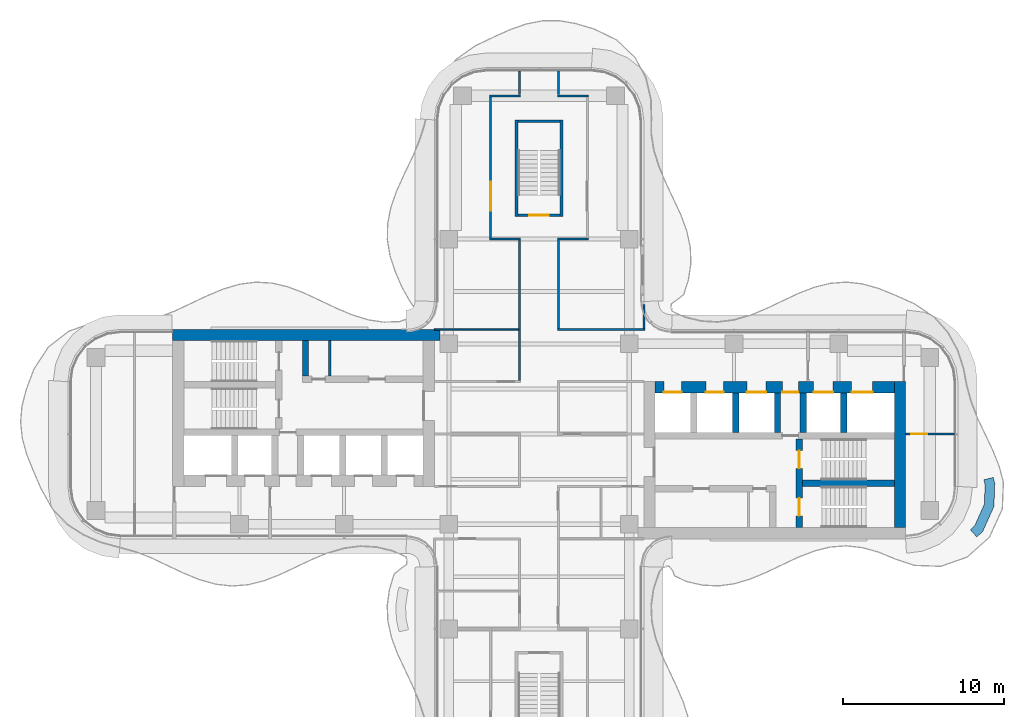
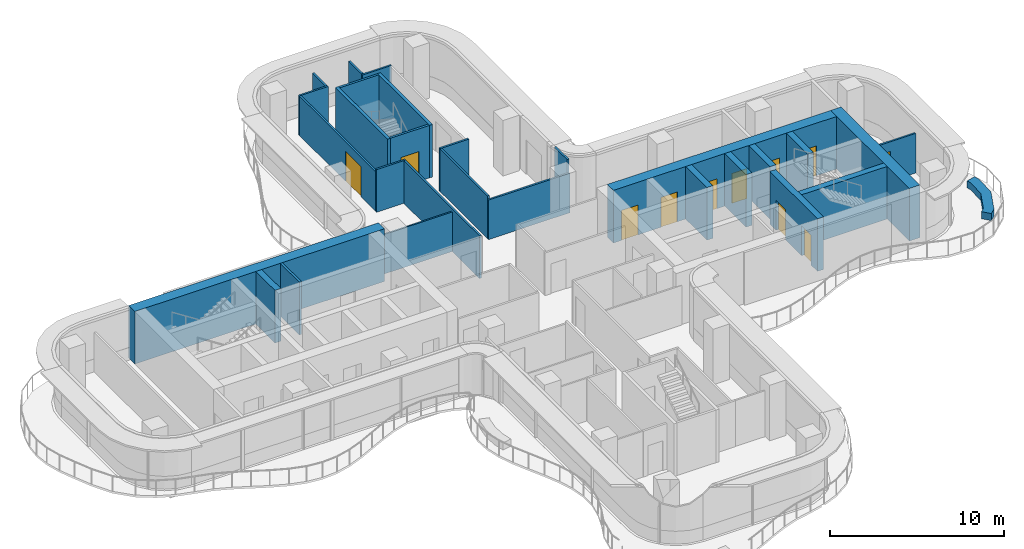
# One storey, part 16 of 19: 29 walls, 11 doors, 11 openings.
"""IFC4 building model written with IfcOpenShell, lengths in metres."""

from ifc_helpers import new_model, si_unit, direction, frame, frame_2d, origin, place, context, subcontext, project, spatial, polyline, rectangle, outline, extrude, source, transform, mapped, material, layer, layer_set, type_object, element, fill, save


model = new_model("IFC4")

# Units and contexts
model_context = context("Model", 3, precision=1e-05, world=origin(), true_north=direction((0.0, 1.0)))
body_context = subcontext(model_context, "Body", "Model", "MODEL_VIEW")
ifc_project = project(units=[si_unit("LENGTHUNIT", "METRE"), si_unit("AREAUNIT", "SQUARE_METRE"), si_unit("VOLUMEUNIT", "CUBIC_METRE"), si_unit("PLANEANGLEUNIT", "RADIAN"), si_unit("MASSUNIT", "GRAM", prefix="KILO")], contexts=[model_context])

# Site, building, storey
site_placement = place(None, origin())
site = spatial("IfcSite", under=ifc_project, at=site_placement, CompositionType="ELEMENT")
building_placement = place(site_placement, origin())
building = spatial("IfcBuilding", under=site, at=building_placement, Name="Trellis Farm Tower", CompositionType="ELEMENT")
storey_placement = place(building_placement, frame((0.0, 0.0, 228.5)))
storey = spatial("IfcBuildingStorey", under=building, at=storey_placement, Name="L50", CompositionType="ELEMENT", Elevation=228.5)

# Walls
ifc_material_1 = material(Name="Sandstone faced masonry planter", Category="masonry")
ifc_layer_1 = layer(ifc_material_1, 0.60009765625)
ifc_layer_set_1 = layer_set([ifc_layer_1], Name="PLANTER BED 600")
wall_type_1 = type_object("IfcWallType", Name="PLANTER BED 600", PredefinedType="USERDEFINED", material=ifc_layer_set_1)
wall_1_placement = place(storey_placement, origin())
element("IfcWall", 1, at=wall_1_placement, inside=storey, type_object=wall_type_1, Name="PLANTER bed", ObjectType="PLANTER", PredefinedType="USERDEFINED", context=body_context, shape_type="SweptSolid", body=[
    extrude(outline(polyline([(28.28955078125, -3.0634765625), (28.237548828125, -4.497314453125), (27.531005859375, -6.06591796875), (27.17041015625, -6.3876953125), (26.77099609375, -5.939697265625), (27.0361328125, -5.703125), (27.64208984375, -4.358154296875), (27.6865234375, -3.131103515625), (27.610107421875, -2.84326171875), (28.18994140625, -2.689208984375), (28.28955078125, -3.0634765625)])), origin(), (0.0, 0.0, 1.0), 0.5),
])
ifc_material_2 = material(Name="Concrete C60/75", Category="concrete")
ifc_layer_2 = layer(ifc_material_2, 0.699951171875)
ifc_layer_set_2 = layer_set([ifc_layer_2], Name="CORE OUTER WALL 700 CONCRETE C60/75")
wall_type_2 = type_object("IfcWallType", Name="CORE OUTER WALL 700 CONCRETE C60/75", PredefinedType="SHEAR", material=ifc_layer_set_2)
shared_shape_1 = source(origin(), body_context, "Body", "SweptSolid", [
    extrude(rectangle(XDim=9.050048828125, YDim=0.699951171875, at=frame_2d((4.52490234375, 0.0))), origin(), (0.0, 0.0, 1.0), 3.699951171875),
])
wall_2_placement = place(storey_placement, frame((22.39990234375, -5.800048828125, 0.0), z_axis=(0.0, 0.0, 1.0), x_axis=(0.0, 1.0, 0.0)))
element("IfcWall", 2, at=wall_2_placement, inside=storey, type_object=wall_type_2, Name="Core wall", PredefinedType="SHEAR", context=body_context, shape_type="MappedRepresentation", body=[
    mapped(shared_shape_1, transform((0.0, 0.0, 0.0))),
])
ifc_layer_3 = layer(ifc_material_2, 0.39990234375)
ifc_layer_set_3 = layer_set([ifc_layer_3], Name="CORE INNER WALL 400 CONCRETE C60/75")
wall_type_3 = type_object("IfcWallType", Name="CORE INNER WALL 400 CONCRETE C60/75", PredefinedType="SHEAR", material=ifc_layer_set_3)
shared_shape_2 = source(origin(), body_context, "Body", "SweptSolid", [
    extrude(rectangle(XDim=2.449951171875, YDim=0.39990234375, at=frame_2d((1.22509765625, 0.0))), origin(), (0.0, 0.0, 1.0), 3.699951171875),
])
for number, where, z_axis, x_axis, name in (
    (3, (12.199951171875, 0.10009765625, 0.0), (0.0, 0.0, 1.0), (0.0, 1.0, 0.0), "Core wall"),
    (4, (14.800048828125, 0.10009765625, 0.0), (0.0, 0.0, 1.0), (0.0, 1.0, 0.0), "Core wall"),
    (5, (16.39990234375, 0.10009765625, 0.0), (0.0, 0.0, 1.0), (0.0, 1.0, 0.0), "Core wall"),
    (6, (18.89990234375, 0.10009765625, 0.0), (0.0, 0.0, 1.0), (0.0, 1.0, 0.0), "Core wall"),
):
    element("IfcWall", number, at=place(storey_placement, frame(where, z_axis=z_axis, x_axis=x_axis)), inside=storey, type_object=wall_type_3, Name=name, PredefinedType="SHEAR", context=body_context, shape_type="MappedRepresentation", body=[
        mapped(shared_shape_2, transform((0.0, 0.0, 0.0))),
    ])

# Wall, openings, doors
shared_shape_3 = source(origin(), body_context, "Body", "SweptSolid", [
    extrude(rectangle(XDim=14.85009765625, YDim=0.699951171875, at=frame_2d((7.425048828125, 0.0))), origin(), (0.0, 0.0, 1.0), 3.699951171875),
])
wall_3_placement = place(storey_placement, frame((7.199951171875, 2.89990234375, 0.0), z_axis=(0.0, 0.0, 1.0), x_axis=(1.0, 0.0, 0.0)))
wall_3 = element("IfcWall", 7, at=wall_3_placement, inside=storey, type_object=wall_type_2, Name="Core wall", PredefinedType="SHEAR", context=body_context, shape_type="MappedRepresentation", body=[
    mapped(shared_shape_3, transform((0.0, 0.0, 0.0))),
])
shared_shape_4 = source(origin(), body_context, "Body", "SweptSolid", [
    extrude(rectangle(XDim=1.10009765625, YDim=2.10009765625, at=frame_2d((0.550048828125, 1.050048828125))), frame((0.0, 0.360107421875, 0.0), z_axis=(0.0, -1.0, 0.0), x_axis=(1.0, 0.0, 0.0)), (0.0, 0.0, 1.0), 0.72021484375),
])
opening_1_placement = place(wall_3_placement, frame((0.550048828125, 0.0, 0.0)))
opening_1 = element("IfcOpeningElement", 8, at=opening_1_placement, cuts=wall_3, Name="Opening LD4", PredefinedType="OPENING", context=body_context, shape_type="MappedRepresentation", body=[
    mapped(shared_shape_4, transform((0.0, 0.0, 0.0))),
])
opening_2_placement = place(wall_3_placement, frame((3.14990234375, 0.0, 0.0)))
opening_2 = element("IfcOpeningElement", 9, at=opening_2_placement, cuts=wall_3, Name="Opening LD5", PredefinedType="OPENING", context=body_context, shape_type="MappedRepresentation", body=[
    mapped(shared_shape_4, transform((0.0, 0.0, 0.0))),
])
shared_shape_5 = source(origin(), body_context, "Body", "SweptSolid", [
    extrude(rectangle(XDim=1.199951171875, YDim=2.10009765625, at=frame_2d((0.60009765625, 1.050048828125))), frame((0.0, 0.360107421875, 0.0), z_axis=(0.0, -1.0, 0.0), x_axis=(1.0, 0.0, 0.0)), (0.0, 0.0, 1.0), 0.72021484375),
])
opening_3_placement = place(wall_3_placement, frame((5.699951171875, 0.0, 0.0)))
opening_3 = element("IfcOpeningElement", 10, at=opening_3_placement, cuts=wall_3, Name="Opening LD6", PredefinedType="OPENING", context=body_context, shape_type="MappedRepresentation", body=[
    mapped(shared_shape_5, transform((0.0, 0.0, 0.0))),
])
shared_shape_6 = source(origin(), body_context, "Body", "SweptSolid", [
    extrude(rectangle(XDim=1.300048828125, YDim=2.10009765625, at=frame_2d((0.64990234375, 1.050048828125))), frame((0.0, 0.360107421875, 0.0), z_axis=(0.0, -1.0, 0.0), x_axis=(1.0, 0.0, 0.0)), (0.0, 0.0, 1.0), 0.72021484375),
])
opening_4_placement = place(wall_3_placement, frame((12.199951171875, 0.0, 0.0)))
opening_4 = element("IfcOpeningElement", 11, at=opening_4_placement, cuts=wall_3, Name="Opening LD7", PredefinedType="OPENING", context=body_context, shape_type="MappedRepresentation", body=[
    mapped(shared_shape_6, transform((0.0, 0.0, 0.0))),
])
opening_5_placement = place(wall_3_placement, frame((9.85009765625, 0.0, 0.0)))
opening_5 = element("IfcOpeningElement", 12, at=opening_5_placement, cuts=wall_3, Name="Opening LD8", PredefinedType="OPENING", context=body_context, shape_type="MappedRepresentation", body=[
    mapped(shared_shape_5, transform((0.0, 0.0, 0.0))),
])
shared_shape_7 = source(origin(), body_context, "Body", "SweptSolid", [
    extrude(rectangle(XDim=1.0, YDim=2.10009765625, at=frame_2d((0.5, 1.050048828125))), frame((0.0, 0.360107421875, 0.0), z_axis=(0.0, -1.0, 0.0), x_axis=(1.0, 0.0, 0.0)), (0.0, 0.0, 1.0), 0.72021484375),
])
opening_6_placement = place(wall_3_placement, frame((7.89990234375, 0.0, 0.0)))
opening_6 = element("IfcOpeningElement", 13, at=opening_6_placement, cuts=wall_3, Name="Opening DC6", PredefinedType="OPENING", context=body_context, shape_type="MappedRepresentation", body=[
    mapped(shared_shape_7, transform((0.0, 0.0, 0.0))),
])
ifc_material_3 = material(Name="Steel", Category="steel")
door_type_1 = type_object("IfcDoorType", Name="CORE FIRE DOOR 1000 X 2100", OperationType="NOTDEFINED", PredefinedType="DOOR", material=ifc_material_3)
shared_shape_8 = source(origin(), body_context, "Body", "SweptSolid", [
    extrude(rectangle(XDim=1.0, YDim=2.10009765625, at=frame_2d((0.5, 1.050048828125))), frame((0.0, -0.27490234375, 0.0), z_axis=(0.0, -1.0, 0.0), x_axis=(1.0, 0.0, 0.0)), (0.0, 0.0, 1.0), 0.050048828125),
])
door_1_placement = place(opening_6_placement, origin())
door_1 = element("IfcDoor", 14, at=door_1_placement, inside=storey, type_object=door_type_1, Name="Core door", OperationType="SINGLE_SWING_LEFT", OverallHeight=2.10009765625, OverallWidth=1.0, PredefinedType="DOOR", context=body_context, shape_type="MappedRepresentation", body=[
    mapped(shared_shape_8, transform((0.0, 0.0, 0.0))),
])
fill(opening_6, door_1)
ifc_material_4 = material(Name="Stainless steel", Category="steel")
door_type_2 = type_object("IfcDoorType", Name="LIFT LANDING DOOR 1300 X 2100", OperationType="DOUBLE_DOOR_SLIDING", PredefinedType="DOOR", material=ifc_material_4)
shared_shape_9 = source(origin(), body_context, "Body", "SweptSolid", [
    extrude(rectangle(XDim=1.300048828125, YDim=2.10009765625, at=frame_2d((0.64990234375, 1.050048828125))), frame((0.0, -0.27490234375, 0.0), z_axis=(0.0, -1.0, 0.0), x_axis=(1.0, 0.0, 0.0)), (0.0, 0.0, 1.0), 0.050048828125),
])
door_2_placement = place(opening_4_placement, origin())
door_2 = element("IfcDoor", 15, at=door_2_placement, inside=storey, type_object=door_type_2, Name="Lift landing door", OperationType="DOUBLE_DOOR_SLIDING", OverallHeight=2.10009765625, OverallWidth=1.300048828125, PredefinedType="DOOR", context=body_context, shape_type="MappedRepresentation", body=[
    mapped(shared_shape_9, transform((0.0, 0.0, 0.0))),
])
fill(opening_4, door_2)
door_type_3 = type_object("IfcDoorType", Name="LIFT LANDING DOOR 1200 X 2100", OperationType="DOUBLE_DOOR_SLIDING", PredefinedType="DOOR", material=ifc_material_4)
shared_shape_10 = source(origin(), body_context, "Body", "SweptSolid", [
    extrude(rectangle(XDim=1.199951171875, YDim=2.10009765625, at=frame_2d((0.60009765625, 1.050048828125))), frame((0.0, -0.27490234375, 0.0), z_axis=(0.0, -1.0, 0.0), x_axis=(1.0, 0.0, 0.0)), (0.0, 0.0, 1.0), 0.050048828125),
])
door_3_placement = place(opening_3_placement, origin())
door_3 = element("IfcDoor", 16, at=door_3_placement, inside=storey, type_object=door_type_3, Name="Lift landing door", OperationType="DOUBLE_DOOR_SLIDING", OverallHeight=2.10009765625, OverallWidth=1.199951171875, PredefinedType="DOOR", context=body_context, shape_type="MappedRepresentation", body=[
    mapped(shared_shape_10, transform((0.0, 0.0, 0.0))),
])
fill(opening_3, door_3)
door_4_placement = place(opening_5_placement, origin())
door_4 = element("IfcDoor", 17, at=door_4_placement, inside=storey, type_object=door_type_3, Name="Lift landing door", OperationType="DOUBLE_DOOR_SLIDING", OverallHeight=2.10009765625, OverallWidth=1.199951171875, PredefinedType="DOOR", context=body_context, shape_type="MappedRepresentation", body=[
    mapped(shared_shape_10, transform((0.0, 0.0, 0.0))),
])
fill(opening_5, door_4)
door_type_4 = type_object("IfcDoorType", Name="LIFT LANDING DOOR 1100 X 2100", OperationType="DOUBLE_DOOR_SLIDING", PredefinedType="DOOR", material=ifc_material_4)
shared_shape_11 = source(origin(), body_context, "Body", "SweptSolid", [
    extrude(rectangle(XDim=1.10009765625, YDim=2.10009765625, at=frame_2d((0.550048828125, 1.050048828125))), frame((0.0, -0.27490234375, 0.0), z_axis=(0.0, -1.0, 0.0), x_axis=(1.0, 0.0, 0.0)), (0.0, 0.0, 1.0), 0.050048828125),
])
door_5_placement = place(opening_1_placement, origin())
door_5 = element("IfcDoor", 18, at=door_5_placement, inside=storey, type_object=door_type_4, Name="Lift landing door", OperationType="DOUBLE_DOOR_SLIDING", OverallHeight=2.10009765625, OverallWidth=1.10009765625, PredefinedType="DOOR", context=body_context, shape_type="MappedRepresentation", body=[
    mapped(shared_shape_11, transform((0.0, 0.0, 0.0))),
])
fill(opening_1, door_5)
door_6_placement = place(opening_2_placement, origin())
door_6 = element("IfcDoor", 19, at=door_6_placement, inside=storey, type_object=door_type_4, Name="Lift landing door", OperationType="DOUBLE_DOOR_SLIDING", OverallHeight=2.10009765625, OverallWidth=1.10009765625, PredefinedType="DOOR", context=body_context, shape_type="MappedRepresentation", body=[
    mapped(shared_shape_11, transform((0.0, 0.0, 0.0))),
])
fill(opening_2, door_6)

shared_shape_12 = source(origin(), body_context, "Body", "SweptSolid", [
    extrude(rectangle(XDim=5.5, YDim=0.39990234375, at=frame_2d((2.75, 0.0))), origin(), (0.0, 0.0, 1.0), 3.699951171875),
])
wall_4_placement = place(storey_placement, frame((16.14990234375, -5.800048828125, 0.0), z_axis=(0.0, 0.0, 1.0), x_axis=(0.0, 1.0, 0.0)))
wall_4 = element("IfcWall", 20, at=wall_4_placement, inside=storey, type_object=wall_type_3, Name="Core wall", PredefinedType="SHEAR", context=body_context, shape_type="MappedRepresentation", body=[
    mapped(shared_shape_12, transform((0.0, 0.0, 0.0))),
])
shared_shape_13 = source(origin(), body_context, "Body", "SweptSolid", [
    extrude(rectangle(XDim=1.10009765625, YDim=2.10009765625, at=frame_2d((0.550048828125, 1.050048828125))), frame((0.0, 0.2099609375, 0.0), z_axis=(0.0, -1.0, 0.0), x_axis=(1.0, 0.0, 0.0)), (0.0, 0.0, 1.0), 0.419921875),
])
opening_7_placement = place(wall_4_placement, frame((0.72509765625, 0.0, 0.0)))
opening_7 = element("IfcOpeningElement", 21, at=opening_7_placement, cuts=wall_4, Name="Opening DC2", PredefinedType="OPENING", context=body_context, shape_type="MappedRepresentation", body=[
    mapped(shared_shape_13, transform((0.0, 0.0, 0.0))),
])
opening_8_placement = place(wall_4_placement, frame((3.675048828125, 0.0, 0.0)))
opening_8 = element("IfcOpeningElement", 22, at=opening_8_placement, cuts=wall_4, Name="Opening DC3", PredefinedType="OPENING", context=body_context, shape_type="MappedRepresentation", body=[
    mapped(shared_shape_13, transform((0.0, 0.0, 0.0))),
])
door_type_5 = type_object("IfcDoorType", Name="CORE FIRE DOOR 1100 X 2100", OperationType="NOTDEFINED", PredefinedType="DOOR", material=ifc_material_3)
shared_shape_14 = source(origin(), body_context, "Body", "SweptSolid", [
    extrude(rectangle(XDim=1.10009765625, YDim=2.10009765625, at=frame_2d((0.550048828125, 1.050048828125))), frame((0.0, 0.02490234375, 0.0), z_axis=(0.0, -1.0, 0.0), x_axis=(1.0, 0.0, 0.0)), (0.0, 0.0, 1.0), 0.050048828125),
])
door_7_placement = place(opening_7_placement, origin())
door_7 = element("IfcDoor", 23, at=door_7_placement, inside=storey, type_object=door_type_5, Name="Core door", OperationType="SINGLE_SWING_RIGHT", OverallHeight=2.10009765625, OverallWidth=1.10009765625, PredefinedType="DOOR", context=body_context, shape_type="MappedRepresentation", body=[
    mapped(shared_shape_14, transform((0.0, 0.0, 0.0))),
])
fill(opening_7, door_7)
door_8_placement = place(opening_8_placement, origin())
door_8 = element("IfcDoor", 24, at=door_8_placement, inside=storey, type_object=door_type_5, Name="Core door", OperationType="SINGLE_SWING_LEFT", OverallHeight=2.10009765625, OverallWidth=1.10009765625, PredefinedType="DOOR", context=body_context, shape_type="MappedRepresentation", body=[
    mapped(shared_shape_14, transform((0.0, 0.0, 0.0))),
])
fill(opening_8, door_8)

# Walls
shared_shape_15 = source(origin(), body_context, "Body", "SweptSolid", [
    extrude(rectangle(XDim=5.699951171875, YDim=0.39990234375, at=frame_2d((2.85009765625, 0.0))), origin(), (0.0, 0.0, 1.0), 3.699951171875),
])
wall_5_placement = place(storey_placement, frame((16.35009765625, -3.050048828125, 0.0), z_axis=(0.0, 0.0, 1.0), x_axis=(1.0, 0.0, 0.0)))
element("IfcWall", 25, at=wall_5_placement, inside=storey, type_object=wall_type_3, Name="Core wall", PredefinedType="SHEAR", context=body_context, shape_type="MappedRepresentation", body=[
    mapped(shared_shape_15, transform((0.0, 0.0, 0.0))),
])
shared_shape_16 = source(origin(), body_context, "Body", "SweptSolid", [
    extrude(rectangle(XDim=2.199951171875, YDim=0.39990234375, at=frame_2d((1.10009765625, 0.0))), origin(), (0.0, 0.0, 1.0), 3.699951171875),
])
wall_6_placement = place(storey_placement, frame((-14.5, 5.800048828125, 0.0), z_axis=(0.0, 0.0, 1.0), x_axis=(0.0, -1.0, 0.0)))
element("IfcWall", 26, at=wall_6_placement, inside=storey, type_object=wall_type_3, Name="Core wall", PredefinedType="SHEAR", context=body_context, shape_type="MappedRepresentation", body=[
    mapped(shared_shape_16, transform((0.0, 0.0, 0.0))),
])
ifc_material_5 = material(Name="Masonry blockwork", Category="masonry")
ifc_layer_4 = layer(ifc_material_5, 0.14990234375)
ifc_layer_set_4 = layer_set([ifc_layer_4], Name="CORE PARTITION 150 BLOCKWORK")
wall_type_4 = type_object("IfcWallType", Name="CORE PARTITION 150 BLOCKWORK", PredefinedType="PARTITIONING", material=ifc_layer_set_4)
shared_shape_17 = source(origin(), body_context, "Body", "SweptSolid", [
    extrude(rectangle(XDim=2.199951171875, YDim=0.14990234375, at=frame_2d((1.10009765625, 0.0))), origin(), (0.0, 0.0, 1.0), 3.699951171875),
])
wall_7_placement = place(storey_placement, frame((-13.0, 5.800048828125, 0.0), z_axis=(0.0, 0.0, 1.0), x_axis=(0.0, -1.0, 0.0)))
element("IfcWall", 27, at=wall_7_placement, inside=storey, type_object=wall_type_4, Name="Core room partition", PredefinedType="PARTITIONING", context=body_context, shape_type="MappedRepresentation", body=[
    mapped(shared_shape_17, transform((0.0, 0.0, 0.0))),
])
shared_shape_18 = source(origin(), body_context, "Body", "SweptSolid", [
    extrude(rectangle(XDim=16.60009765625, YDim=0.699951171875, at=frame_2d((8.300048828125, 0.0))), origin(), (0.0, 0.0, 1.0), 3.699951171875),
])
wall_8_placement = place(storey_placement, frame((-6.14990234375, 6.14990234375, 0.0), z_axis=(0.0, 0.0, 1.0), x_axis=(-1.0, 0.0, 0.0)))
element("IfcWall", 28, at=wall_8_placement, inside=storey, type_object=wall_type_2, Name="Core wall", PredefinedType="SHEAR", context=body_context, shape_type="MappedRepresentation", body=[
    mapped(shared_shape_18, transform((0.0, 0.0, 0.0))),
])
ifc_layer_5 = layer(ifc_material_2, 0.199951171875)
ifc_layer_set_5 = layer_set([ifc_layer_5], Name="CORE STAIR ENCLOSURE WALL 200 CONCRETE C60/75")
wall_type_5 = type_object("IfcWallType", Name="CORE STAIR ENCLOSURE WALL 200 CONCRETE C60/75", PredefinedType="SHEAR", material=ifc_layer_set_5)
shared_shape_19 = source(origin(), body_context, "Body", "SweptSolid", [
    extrude(rectangle(XDim=6.0, YDim=0.199951171875, at=frame_2d((3.0, 0.0))), origin(), (0.0, 0.0, 1.0), 3.699951171875),
])
for number, where, z_axis, x_axis, name in (
    (29, (-1.39990234375, 13.5, 0.0), (0.0, 0.0, 1.0), (0.0, 1.0, 0.0), "Stair enclosure wall"),
    (30, (1.39990234375, 13.5, 0.0), (0.0, 0.0, 1.0), (0.0, 1.0, 0.0), "Stair enclosure wall"),
):
    element("IfcWall", number, at=place(storey_placement, frame(where, z_axis=z_axis, x_axis=x_axis)), inside=storey, type_object=wall_type_5, Name=name, PredefinedType="SHEAR", context=body_context, shape_type="MappedRepresentation", body=[
        mapped(shared_shape_19, transform((0.0, 0.0, 0.0))),
    ])

# Wall, opening, door
ifc_layer_6 = layer(ifc_material_2, 0.14990234375)
ifc_layer_set_6 = layer_set([ifc_layer_6], Name="CORE STAIR ENCLOSURE WALL 150 CONCRETE C60/75")
wall_type_6 = type_object("IfcWallType", Name="CORE STAIR ENCLOSURE WALL 150 CONCRETE C60/75", PredefinedType="SHEAR", material=ifc_layer_set_6)
shared_shape_20 = source(origin(), body_context, "Body", "SweptSolid", [
    extrude(rectangle(XDim=2.60009765625, YDim=0.14990234375, at=frame_2d((1.300048828125, 0.0))), origin(), (0.0, 0.0, 1.0), 3.699951171875),
])
wall_9_placement = place(storey_placement, frame((-1.300048828125, 13.574951171875, 0.0), z_axis=(0.0, 0.0, 1.0), x_axis=(1.0, 0.0, 0.0)))
wall_9 = element("IfcWall", 31, at=wall_9_placement, inside=storey, type_object=wall_type_6, Name="Stair enclosure wall", PredefinedType="SHEAR", context=body_context, shape_type="MappedRepresentation", body=[
    mapped(shared_shape_20, transform((0.0, 0.0, 0.0))),
])
shared_shape_21 = source(origin(), body_context, "Body", "SweptSolid", [
    extrude(rectangle(XDim=1.199951171875, YDim=2.10009765625, at=frame_2d((0.60009765625, 1.050048828125))), frame((0.0, 0.0849609375, 0.0), z_axis=(0.0, -1.0, 0.0), x_axis=(1.0, 0.0, 0.0)), (0.0, 0.0, 1.0), 0.169921875),
])
opening_9_placement = place(wall_9_placement, frame((0.699951171875, 0.0, 0.0)))
opening_9 = element("IfcOpeningElement", 32, at=opening_9_placement, cuts=wall_9, Name="Opening DC173", PredefinedType="OPENING", context=body_context, shape_type="MappedRepresentation", body=[
    mapped(shared_shape_21, transform((0.0, 0.0, 0.0))),
])
door_type_6 = type_object("IfcDoorType", Name="CORE FIRE DOOR 1200 X 2100", OperationType="NOTDEFINED", PredefinedType="DOOR", material=ifc_material_3)
shared_shape_22 = source(origin(), body_context, "Body", "SweptSolid", [
    extrude(rectangle(XDim=1.199951171875, YDim=2.10009765625, at=frame_2d((0.60009765625, 1.050048828125))), frame((0.0, 0.02490234375, 0.0), z_axis=(0.0, -1.0, 0.0), x_axis=(1.0, 0.0, 0.0)), (0.0, 0.0, 1.0), 0.050048828125),
])
door_9_placement = place(opening_9_placement, origin())
door_9 = element("IfcDoor", 33, at=door_9_placement, inside=storey, type_object=door_type_6, Name="Core door", OperationType="SINGLE_SWING_LEFT", OverallHeight=2.10009765625, OverallWidth=1.199951171875, PredefinedType="DOOR", context=body_context, shape_type="MappedRepresentation", body=[
    mapped(shared_shape_22, transform((0.0, 0.0, 0.0))),
])
fill(opening_9, door_9)

# Walls
wall_10_placement = place(storey_placement, frame((-1.300048828125, 19.425048828125, 0.0), z_axis=(0.0, 0.0, 1.0), x_axis=(1.0, 0.0, 0.0)))
element("IfcWall", 34, at=wall_10_placement, inside=storey, type_object=wall_type_6, Name="Stair enclosure wall", PredefinedType="SHEAR", context=body_context, shape_type="MappedRepresentation", body=[
    mapped(shared_shape_20, transform((0.0, 0.0, 0.0))),
])
ifc_material_6 = material(Name="Plasterboard on steel studs, mineral wool", Category="steel")
ifc_layer_7 = layer(ifc_material_6, 0.125)
ifc_layer_set_7 = layer_set([ifc_layer_7], Name="PARTITION 125 STUD EI 60")
wall_type_7 = type_object("IfcWallType", Name="PARTITION 125 STUD EI 60", PredefinedType="PARTITIONING", material=ifc_layer_set_7)
shared_shape_23 = source(origin(), body_context, "Body", "SweptSolid", [
    extrude(rectangle(XDim=5.47509765625, YDim=0.125, at=frame_2d((2.737548828125, 0.0))), origin(), (0.0, 0.0, 1.0), 2.99658203125),
])
wall_11_placement = place(storey_placement, frame((1.199951171875, 12.03759765625, 0.0), z_axis=(0.0, 0.0, 1.0), x_axis=(0.0, -1.0, 0.0)))
element("IfcWall", 35, at=wall_11_placement, inside=storey, type_object=wall_type_7, Name="Partition PW1", PredefinedType="PARTITIONING", context=body_context, shape_type="MappedRepresentation", body=[
    mapped(shared_shape_23, transform((0.0, 0.0, 0.0))),
])
shared_shape_24 = source(origin(), body_context, "Body", "SweptSolid", [
    extrude(rectangle(XDim=1.468994140625, YDim=0.125, at=frame_2d((0.734375, 0.0))), origin(), (0.0, 0.0, 1.0), 3.699951171875),
])
wall_12_placement = place(storey_placement, frame((6.5, 6.5625, 0.0), z_axis=(0.0, 0.0, 1.0), x_axis=(0.0, 1.0, 0.0)))
element("IfcWall", 36, at=wall_12_placement, inside=storey, type_object=wall_type_7, Name="Partition PW1", PredefinedType="PARTITIONING", context=body_context, shape_type="MappedRepresentation", body=[
    mapped(shared_shape_24, transform((0.0, 0.0, 0.0))),
])
shared_shape_25 = source(origin(), body_context, "Body", "SweptSolid", [
    extrude(rectangle(XDim=8.72509765625, YDim=0.125, at=frame_2d((4.362548828125, 0.0))), origin(), (0.0, 0.0, 1.0), 2.99658203125),
])
wall_13_placement = place(storey_placement, frame((-1.199951171875, 12.03759765625, 0.0), z_axis=(0.0, 0.0, 1.0), x_axis=(0.0, -1.0, 0.0)))
element("IfcWall", 37, at=wall_13_placement, inside=storey, type_object=wall_type_7, Name="Partition PW1", PredefinedType="PARTITIONING", context=body_context, shape_type="MappedRepresentation", body=[
    mapped(shared_shape_25, transform((0.0, 0.0, 0.0))),
])
shared_shape_26 = source(origin(), body_context, "Body", "SweptSolid", [
    extrude(rectangle(XDim=1.925048828125, YDim=0.125, at=frame_2d((0.96240234375, 0.0))), origin(), (0.0, 0.0, 1.0), 2.99658203125),
])
for number, where, z_axis, x_axis, name in (
    (38, (-1.137451171875, 12.10009765625, 0.0), (0.0, 0.0, 1.0), (-1.0, 0.0, 0.0), "Partition PW1"),
    (39, (3.0625, 12.10009765625, 0.0), (0.0, 0.0, 1.0), (-1.0, 0.0, 0.0), "Partition PW1"),
):
    element("IfcWall", number, at=place(storey_placement, frame(where, z_axis=z_axis, x_axis=x_axis)), inside=storey, type_object=wall_type_7, Name=name, PredefinedType="PARTITIONING", context=body_context, shape_type="MappedRepresentation", body=[
        mapped(shared_shape_26, transform((0.0, 0.0, 0.0))),
    ])
shared_shape_27 = source(origin(), body_context, "Body", "SweptSolid", [
    extrude(rectangle(XDim=5.425048828125, YDim=0.125, at=frame_2d((2.71240234375, 0.0))), origin(), (0.0, 0.0, 1.0), 2.780029296875),
])
wall_14_placement = place(storey_placement, frame((1.137451171875, 6.5, 0.0), z_axis=(0.0, 0.0, 1.0), x_axis=(1.0, 0.0, 0.0)))
element("IfcWall", 40, at=wall_14_placement, inside=storey, type_object=wall_type_7, Name="Partition PW1", PredefinedType="PARTITIONING", context=body_context, shape_type="MappedRepresentation", body=[
    mapped(shared_shape_27, transform((0.0, 0.0, 0.0))),
])
ifc_material_7 = material(Name="Plasterboard on steel studs", Category="steel")
ifc_layer_8 = layer(ifc_material_7, 0.10009765625)
ifc_layer_set_8 = layer_set([ifc_layer_8], Name="PARTITION 100 STUD EI 30")
wall_type_8 = type_object("IfcWallType", Name="PARTITION 100 STUD EI 30", PredefinedType="PARTITIONING", material=ifc_layer_set_8)
shared_shape_28 = source(origin(), body_context, "Body", "SweptSolid", [
    extrude(rectangle(XDim=5.237548828125, YDim=0.10009765625, at=frame_2d((2.61865234375, 0.0))), origin(), (0.0, 0.0, 1.0), 2.780029296875),
])
wall_15_placement = place(storey_placement, frame((-6.5, 6.5, 0.0), z_axis=(0.0, 0.0, 1.0), x_axis=(1.0, 0.0, 0.0)))
element("IfcWall", 41, at=wall_15_placement, inside=storey, type_object=wall_type_8, Name="Partition PW2", PredefinedType="PARTITIONING", context=body_context, shape_type="MappedRepresentation", body=[
    mapped(shared_shape_28, transform((0.0, 0.0, 0.0))),
])

# Wall, opening, door
shared_shape_29 = source(origin(), body_context, "Body", "SweptSolid", [
    extrude(rectangle(XDim=8.77490234375, YDim=0.125, at=frame_2d((4.387451171875, 0.0))), origin(), (0.0, 0.0, 1.0), 2.780029296875),
])
wall_16_placement = place(storey_placement, frame((-3.0, 12.16259765625, 0.0), z_axis=(0.0, 0.0, 1.0), x_axis=(0.0, 1.0, 0.0)))
wall_16 = element("IfcWall", 42, at=wall_16_placement, inside=storey, type_object=wall_type_7, Name="Partition PW1", PredefinedType="PARTITIONING", context=body_context, shape_type="MappedRepresentation", body=[
    mapped(shared_shape_29, transform((0.0, 0.0, 0.0))),
])
shared_shape_30 = source(origin(), body_context, "Body", "SweptSolid", [
    extrude(rectangle(XDim=1.800048828125, YDim=2.10009765625, at=frame_2d((0.89990234375, 1.050048828125))), frame((0.0, 0.072509765625, 0.0), z_axis=(0.0, -1.0, 0.0), x_axis=(1.0, 0.0, 0.0)), (0.0, 0.0, 1.0), 0.14501953125),
])
opening_10_placement = place(wall_16_placement, frame((1.6875, 0.0, 0.0)))
opening_10 = element("IfcOpeningElement", 43, at=opening_10_placement, cuts=wall_16, Name="Opening D202", PredefinedType="OPENING", context=body_context, shape_type="MappedRepresentation", body=[
    mapped(shared_shape_30, transform((0.0, 0.0, 0.0))),
])
ifc_material_8 = material(Name="Fire-rated timber door leaf in a hollow metal frame", Category="wood")
door_type_7 = type_object("IfcDoorType", Name="DOOR PAIR 1800x2100 FD30S", OperationType="NOTDEFINED", PredefinedType="DOOR", material=ifc_material_8)
shared_shape_31 = source(origin(), body_context, "Body", "SweptSolid", [
    extrude(rectangle(XDim=1.800048828125, YDim=2.10009765625, at=frame_2d((0.89990234375, 1.050048828125))), frame((0.0, 0.02490234375, 0.0), z_axis=(0.0, -1.0, 0.0), x_axis=(1.0, 0.0, 0.0)), (0.0, 0.0, 1.0), 0.050048828125),
])
door_10_placement = place(opening_10_placement, origin())
door_10 = element("IfcDoor", 44, at=door_10_placement, inside=storey, type_object=door_type_7, Name="Door D202", OperationType="DOUBLE_DOOR_SINGLE_SWING", OverallHeight=2.10009765625, OverallWidth=1.800048828125, PredefinedType="DOOR", context=body_context, shape_type="MappedRepresentation", body=[
    mapped(shared_shape_31, transform((0.0, 0.0, 0.0))),
])
fill(opening_10, door_10)

# Walls
shared_shape_32 = source(origin(), body_context, "Body", "SweptSolid", [
    extrude(rectangle(XDim=1.487548828125, YDim=0.125, at=frame_2d((0.74365234375, 0.0))), origin(), (0.0, 0.0, 1.0), 2.780029296875),
])
for number, where, z_axis, x_axis, name in (
    (45, (-1.199951171875, 22.550048828125, 0.0), (0.0, 0.0, 1.0), (0.0, -1.0, 0.0), "Partition PW1"),
    (46, (1.199951171875, 22.550048828125, 0.0), (0.0, 0.0, 1.0), (0.0, -1.0, 0.0), "Partition PW1"),
):
    element("IfcWall", number, at=place(storey_placement, frame(where, z_axis=z_axis, x_axis=x_axis)), inside=storey, type_object=wall_type_7, Name=name, PredefinedType="PARTITIONING", context=body_context, shape_type="MappedRepresentation", body=[
        mapped(shared_shape_32, transform((0.0, 0.0, 0.0))),
    ])
shared_shape_33 = source(origin(), body_context, "Body", "SweptSolid", [
    extrude(rectangle(XDim=1.925048828125, YDim=0.125, at=frame_2d((0.96240234375, 0.0))), origin(), (0.0, 0.0, 1.0), 2.780029296875),
])
for number, where, z_axis, x_axis, name in (
    (47, (-3.0625, 21.0, 0.0), (0.0, 0.0, 1.0), (1.0, 0.0, 0.0), "Partition PW1"),
    (48, (1.137451171875, 21.0, 0.0), (0.0, 0.0, 1.0), (1.0, 0.0, 0.0), "Partition PW1"),
):
    element("IfcWall", number, at=place(storey_placement, frame(where, z_axis=z_axis, x_axis=x_axis)), inside=storey, type_object=wall_type_7, Name=name, PredefinedType="PARTITIONING", context=body_context, shape_type="MappedRepresentation", body=[
        mapped(shared_shape_33, transform((0.0, 0.0, 0.0))),
    ])

# Wall, opening, door
shared_shape_34 = source(origin(), body_context, "Body", "SweptSolid", [
    extrude(rectangle(XDim=3.050048828125, YDim=0.125, at=frame_2d((1.52490234375, 0.0))), origin(), (0.0, 0.0, 1.0), 2.780029296875),
])
wall_17_placement = place(storey_placement, frame((25.800048828125, 0.0, 0.0), z_axis=(0.0, 0.0, 1.0), x_axis=(-1.0, 0.0, 0.0)))
wall_17 = element("IfcWall", 49, at=wall_17_placement, inside=storey, type_object=wall_type_7, Name="Partition PW1", PredefinedType="PARTITIONING", context=body_context, shape_type="MappedRepresentation", body=[
    mapped(shared_shape_34, transform((0.0, 0.0, 0.0))),
])
shared_shape_35 = source(origin(), body_context, "Body", "SweptSolid", [
    extrude(rectangle(XDim=1.0, YDim=2.10009765625, at=frame_2d((0.5, 1.050048828125))), frame((0.0, 0.072509765625, 0.0), z_axis=(0.0, -1.0, 0.0), x_axis=(1.0, 0.0, 0.0)), (0.0, 0.0, 1.0), 0.14501953125),
])
opening_11_placement = place(wall_17_placement, frame((1.699951171875, 0.0, 0.0)))
opening_11 = element("IfcOpeningElement", 50, at=opening_11_placement, cuts=wall_17, Name="Opening D109", PredefinedType="OPENING", context=body_context, shape_type="MappedRepresentation", body=[
    mapped(shared_shape_35, transform((0.0, 0.0, 0.0))),
])
door_type_8 = type_object("IfcDoorType", Name="DOOR 1000x2100 FD30S", OperationType="NOTDEFINED", PredefinedType="DOOR", material=ifc_material_8)
shared_shape_36 = source(origin(), body_context, "Body", "SweptSolid", [
    extrude(rectangle(XDim=1.0, YDim=2.10009765625, at=frame_2d((0.5, 1.050048828125))), frame((0.0, 0.02490234375, 0.0), z_axis=(0.0, -1.0, 0.0), x_axis=(1.0, 0.0, 0.0)), (0.0, 0.0, 1.0), 0.050048828125),
])
door_11_placement = place(opening_11_placement, origin())
door_11 = element("IfcDoor", 51, at=door_11_placement, inside=storey, type_object=door_type_8, Name="Door D109", OperationType="SINGLE_SWING_RIGHT", OverallHeight=2.10009765625, OverallWidth=1.0, PredefinedType="DOOR", context=body_context, shape_type="MappedRepresentation", body=[
    mapped(shared_shape_36, transform((0.0, 0.0, 0.0))),
])
fill(opening_11, door_11)

save(model, "model.ifc")
